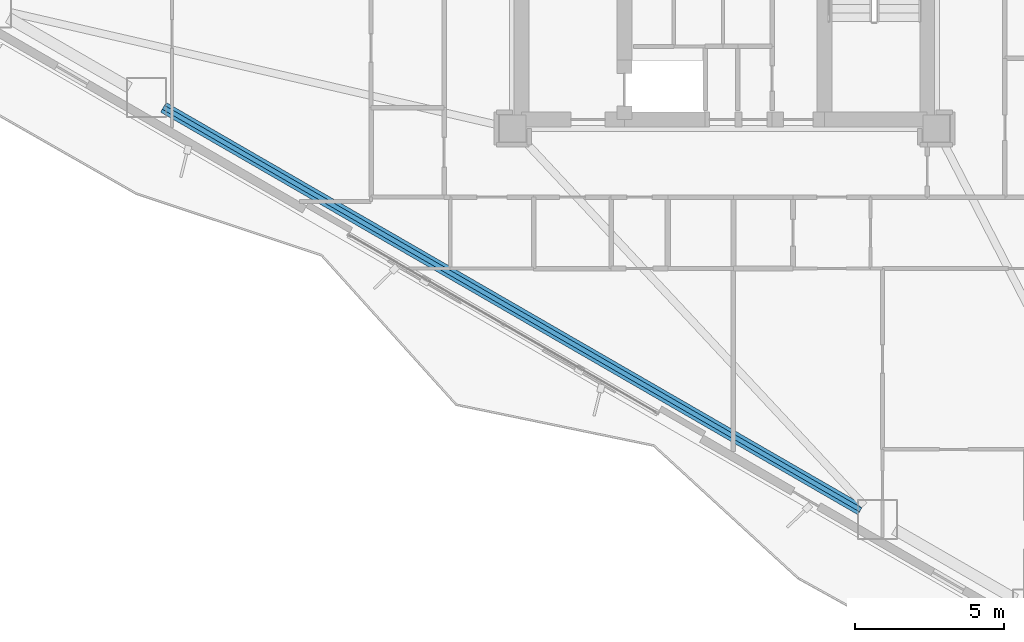
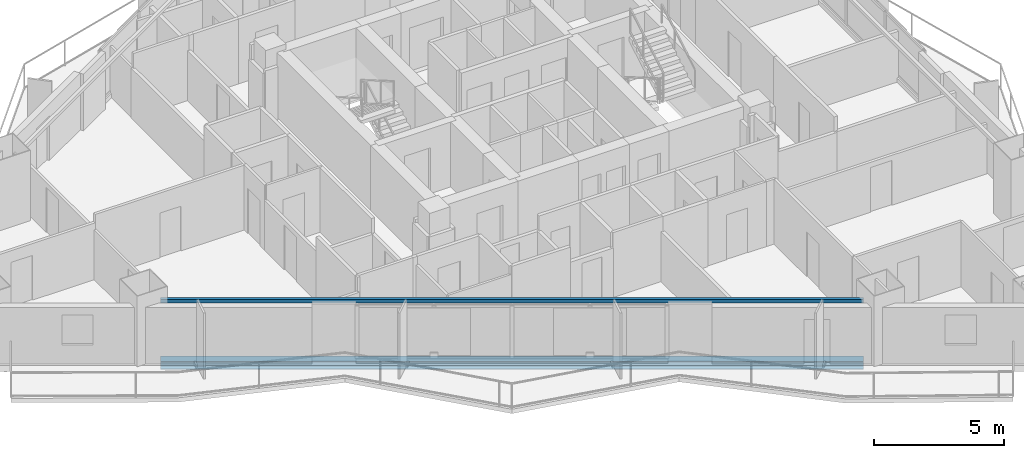
# One storey, part 3 of 19: 2 beams.
"""IFC4 building model written with IfcOpenShell, lengths in metres."""

import ifcopenshell
import ifcopenshell.guid

model = None  # the IFC model being written
_history = None  # IfcOwnerHistory: only IFC2X3 demands one
_inside = {}  # id of a spatial element -> (the spatial element, [elements in it])
_under = {}  # id of a project, library or spatial element -> (it, [spatial elements below it])
_declared = {}  # id of a project -> (the project, [libraries it declares])
_typed = {}  # id of a type object -> (the type object, [elements of that type])
_made_of = {}  # id of a material, layer set ... -> (it, [elements and type objects made of it])


def new_model(schema):
    """Start an empty IFC model of exactly this schema.

    Asked for "IFC4X3", IfcOpenShell would pick the latest addendum, in which some entities
    have other attributes; the version numbers below select the first issue.
    IFC2X3 requires an IfcOwnerHistory on every rooted entity: one is made here for all.
    """
    global model, _history
    if schema == "IFC4X3":
        model = ifcopenshell.file(schema_version=(4, 3, 0, 0))
    else:
        model = ifcopenshell.file(schema=schema)
    _inside.clear()
    _under.clear()
    _declared.clear()
    _typed.clear()
    _made_of.clear()
    _history = None
    if model.schema == "IFC2X3":
        org = make("IfcOrganization", Name="unknown")
        user = make(
            "IfcPersonAndOrganization",
            ThePerson=make("IfcPerson", FamilyName="unknown"),
            TheOrganization=org,
        )
        app = make(
            "IfcApplication",
            ApplicationDeveloper=org,
            Version="unknown",
            ApplicationFullName="unknown",
            ApplicationIdentifier="unknown",
        )
        _history = make(
            "IfcOwnerHistory",
            OwningUser=user,
            OwningApplication=app,
            ChangeAction="ADDED",
            CreationDate=0,
        )
    return model


def make(cls, **values):
    """One entity of the class cls with the attributes given. An attribute that is None is left unset."""
    return model.create_entity(
        cls, **{name: value for name, value in values.items() if value is not None}
    )


def rooted(cls, **values):
    """An entity with a GlobalId (a new one), such as an element, a storey or a relation."""
    return make(cls, GlobalId=ifcopenshell.guid.new(), OwnerHistory=_history, **values)


def si_unit(unit_type, name, prefix=None):
    """IfcSIUnit, for example si_unit("LENGTHUNIT", "METRE", prefix="MILLI")."""
    return make("IfcSIUnit", UnitType=unit_type, Prefix=prefix, Name=name)


def assignment(units):
    """IfcUnitAssignment: the units of a project."""
    return None if units is None else make("IfcUnitAssignment", Units=units)


def point(xyz):
    """IfcCartesianPoint."""
    return None if xyz is None else make("IfcCartesianPoint", Coordinates=xyz)


def direction(xyz):
    """IfcDirection."""
    return None if xyz is None else make("IfcDirection", DirectionRatios=xyz)


def frame(location, z_axis=None, x_axis=None):
    """IfcAxis2Placement3D, a coordinate frame: its origin and axes. An axis left out is left unset."""
    return make(
        "IfcAxis2Placement3D",
        Location=point(location),
        Axis=direction(z_axis),
        RefDirection=direction(x_axis),
    )


def frame_2d(location, x_axis=None):
    """IfcAxis2Placement2D, a coordinate frame in the plane: its origin and x axis."""
    return make(
        "IfcAxis2Placement2D", Location=point(location), RefDirection=direction(x_axis)
    )


def origin():
    """The frame at (0, 0, 0) with its axes left unset."""
    return frame((0.0, 0.0, 0.0))


def origin_2d():
    """The frame at (0, 0) in the plane with its x axis left unset."""
    return frame_2d((0.0, 0.0))


def place(relative_to, where):
    """IfcLocalPlacement: puts the frame where relative to a parent placement (None: the world)."""
    return make(
        "IfcLocalPlacement", PlacementRelTo=relative_to, RelativePlacement=where
    )


def context(
    kind, dimensions, precision=None, world=None, true_north=None, identifier=None
):
    """IfcGeometricRepresentationContext, for example the 3D "Model" context."""
    return make(
        "IfcGeometricRepresentationContext",
        ContextIdentifier=identifier,
        ContextType=kind,
        CoordinateSpaceDimension=dimensions,
        Precision=precision,
        WorldCoordinateSystem=world,
        TrueNorth=true_north,
    )


def subcontext(parent, identifier, kind, view, scale=None):
    """IfcGeometricRepresentationSubContext, for example "Body" below "Model"."""
    return make(
        "IfcGeometricRepresentationSubContext",
        ContextIdentifier=identifier,
        ContextType=kind,
        ParentContext=parent,
        TargetScale=scale,
        TargetView=view,
    )


def project(units=None, contexts=None):
    """IfcProject with its units and contexts."""
    return rooted(
        "IfcProject",
        Name="project",
        RepresentationContexts=contexts,
        UnitsInContext=assignment(units),
    )


def spatial(cls, under=None, at=None, **own):
    """A site, building, storey or space (cls), placed at a placement, below another one or the project."""
    s = rooted(cls, ObjectPlacement=at, **own)
    if under is not None:
        _under.setdefault(under.id(), (under, []))[1].append(s)
    return s


def profile(cls, at=None, kind="AREA", **sizes):
    """A parametric profile (cls). Its sizes go by their IFC names, for example OverallWidth=200.0."""
    return make(cls, ProfileType=kind, Position=at, **sizes)


def hollow_rectangle(**sizes):
    """IfcRectangleHollowProfileDef."""
    return profile("IfcRectangleHollowProfileDef", **sizes)


def i_section(**sizes):
    """IfcIShapeProfileDef."""
    return profile("IfcIShapeProfileDef", **sizes)


def extrude(swept, where, along, depth):
    """IfcExtrudedAreaSolid: the profile swept, set in the frame where, extruded along a direction by depth."""
    return make(
        "IfcExtrudedAreaSolid",
        SweptArea=swept,
        Position=where,
        ExtrudedDirection=direction(along),
        Depth=depth,
    )


def shape(context_of_items, identifier, shape_type, items):
    """IfcShapeRepresentation: the items that make up one representation, for example the "Body"."""
    return make(
        "IfcShapeRepresentation",
        ContextOfItems=context_of_items,
        RepresentationIdentifier=identifier,
        RepresentationType=shape_type,
        Items=items,
    )


def material(Name=None, Category=None):
    """IfcMaterial."""
    return make("IfcMaterial", Name=Name, Category=Category)


def material_profile(
    of_material, cross_section, Name=None, Category=None, Priority=None
):
    """IfcMaterialProfile: a cross section and its material."""
    return make(
        "IfcMaterialProfile",
        Name=Name,
        Material=of_material,
        Profile=cross_section,
        Priority=Priority,
        Category=Category,
    )


def profile_set(profiles, Name=None, composite=None):
    """IfcMaterialProfileSet."""
    return make(
        "IfcMaterialProfileSet",
        Name=Name,
        MaterialProfiles=profiles,
        CompositeProfile=composite,
    )


def made_of(thing, what):
    """Note that an element or type object is made of a material, layer set ...; save() writes the relation."""
    if what is not None:
        _made_of.setdefault(what.id(), (what, []))[1].append(thing)
    return thing


def type_object(cls, material=None, **own):
    """A type object (cls), such as IfcWallType, which elements share."""
    return made_of(rooted(cls, **own), material)


def element(
    cls,
    number,
    at=None,
    inside=None,
    cuts=None,
    type_object=None,
    material=None,
    context=None,
    identifier="Body",
    shape_type=None,
    held_by="IfcProductDefinitionShape",
    body=None,
    shapes=None,
    **own,
):
    """One element of the class cls, such as IfcWall. Its Tag is "e" and its number.

    at: its placement. inside: the storey or other place that contains it. cuts: it is an
    opening in that element (IfcRelVoidsElement). A single representation is given by context,
    identifier, shape_type and body (its items); several are given by shapes. held_by: the class
    of the entity that holds the representations. save() writes the other relations.
    """
    e = rooted(cls, Tag="e%d" % number, ObjectPlacement=at, **own)
    if body is not None:
        shapes = [shape(context, identifier, shape_type, body)]
    if shapes is not None:
        e.Representation = make(held_by, Representations=shapes)
    if inside is not None:
        _inside.setdefault(inside.id(), (inside, []))[1].append(e)
    if cuts is not None:
        rooted(
            "IfcRelVoidsElement", RelatingBuildingElement=cuts, RelatedOpeningElement=e
        )
    if type_object is not None:
        _typed.setdefault(type_object.id(), (type_object, []))[1].append(e)
    return made_of(e, material)


def aggregate(whole, parts):
    """IfcRelAggregates: a whole, such as a stair, and the parts it consists of."""
    return rooted("IfcRelAggregates", RelatingObject=whole, RelatedObjects=parts)


def save(model, path):
    """Write the relations noted so far, then the file.

    IfcRelAggregates (storeys below a building ...), IfcRelContainedInSpatialStructure (elements
    in a storey), IfcRelDefinesByType, IfcRelAssociatesMaterial and IfcRelDeclares: one each for
    every whole, place, type object, material and project.
    """
    for whole, parts in _under.values():
        aggregate(whole, parts)
    for where, things in _inside.values():
        rooted(
            "IfcRelContainedInSpatialStructure",
            RelatedElements=things,
            RelatingStructure=where,
        )
    for kind, things in _typed.values():
        rooted("IfcRelDefinesByType", RelatedObjects=things, RelatingType=kind)
    for what, things in _made_of.values():
        rooted("IfcRelAssociatesMaterial", RelatedObjects=things, RelatingMaterial=what)
    for by, libraries in _declared.values():
        rooted("IfcRelDeclares", RelatingContext=by, RelatedDefinitions=libraries)
    model.write(path)


model = new_model("IFC4")

# Units and contexts
model_context = context("Model", 3, precision=1e-05, world=origin(), true_north=direction((0.0, 1.0)))
body_context = subcontext(model_context, "Body", "Model", "MODEL_VIEW")
ifc_project = project(units=[si_unit("LENGTHUNIT", "METRE"), si_unit("AREAUNIT", "SQUARE_METRE"), si_unit("VOLUMEUNIT", "CUBIC_METRE"), si_unit("PLANEANGLEUNIT", "RADIAN"), si_unit("MASSUNIT", "GRAM", prefix="KILO")], contexts=[model_context])

# Site, building, storey
site_placement = place(None, origin())
site = spatial("IfcSite", under=ifc_project, at=site_placement, CompositionType="ELEMENT")
building_placement = place(site_placement, origin())
building = spatial("IfcBuilding", under=site, at=building_placement, Name="Mersakhor Tower and Convention Hall", CompositionType="ELEMENT")
storey_placement = place(building_placement, frame((0.0, 0.0, 42.300048828125)))
storey = spatial("IfcBuildingStorey", under=building, at=storey_placement, Name="L11", CompositionType="ELEMENT", Elevation=42.300048828125)

# Beams
ifc_material_1 = material(Name="Steel S355", Category="steel")
ifc_material_profile_1 = material_profile(ifc_material_1, hollow_rectangle(XDim=0.14990234375, YDim=0.14990234375, WallThickness=0.010009765625, at=origin_2d()), Name="SHS 150x150x10")
ifc_profile_set_1 = profile_set([ifc_material_profile_1], Name="Steel S355")
beam_type_1 = type_object("IfcBeamType", Name="BM-GRT-SHS150", PredefinedType="USERDEFINED", material=ifc_profile_set_1)
beam_1_placement = place(storey_placement, frame((33.566162109375, 7.6591796875, 2.47998046875), z_axis=(-0.866025970279, 0.499999018801, 0.0), x_axis=(-0.499999018801, -0.866025970279, 0.0)))
element("IfcBeam", 1, at=beam_1_placement, inside=storey, type_object=beam_type_1, Name="L11 Facade Support Girt GRT-F3", ObjectType="GIRT", PredefinedType="USERDEFINED", context=body_context, shape_type="SweptSolid", body=[
    extrude(hollow_rectangle(XDim=0.14990234375, YDim=0.14990234375, WallThickness=0.010009765625, at=origin_2d()), origin(), (0.0, 0.0, 1.0), 26.99951171875),
])
ifc_material_2 = material(Name="Steel S355", Category="steel")
ifc_material_profile_2 = material_profile(ifc_material_2, i_section(OverallWidth=0.374755859375, OverallDepth=0.37451171875, WebThickness=0.0166015625, FlangeThickness=0.027099609375, at=origin_2d()), Name="UC 356x368x202")
ifc_profile_set_2 = profile_set([ifc_material_profile_2], Name="Steel S355")
beam_type_2 = type_object("IfcBeamType", Name="BM-SPD-UC356", PredefinedType="SPANDREL", material=ifc_profile_set_2)
beam_2_placement = place(storey_placement, frame((33.566162109375, 7.6591796875, -0.447265625), z_axis=(-0.866025970279, 0.499999018801, 0.0), x_axis=(-0.499999018801, -0.866025970279, 0.0)))
element("IfcBeam", 2, at=beam_2_placement, inside=storey, type_object=beam_type_2, Name="L11 Perimeter Spandrel Beam SPB-10", PredefinedType="SPANDREL", context=body_context, shape_type="SweptSolid", body=[
    extrude(i_section(OverallWidth=0.374755859375, OverallDepth=0.37451171875, WebThickness=0.0166015625, FlangeThickness=0.027099609375, at=origin_2d()), origin(), (0.0, 0.0, 1.0), 26.99951171875),
])

save(model, "model.ifc")
